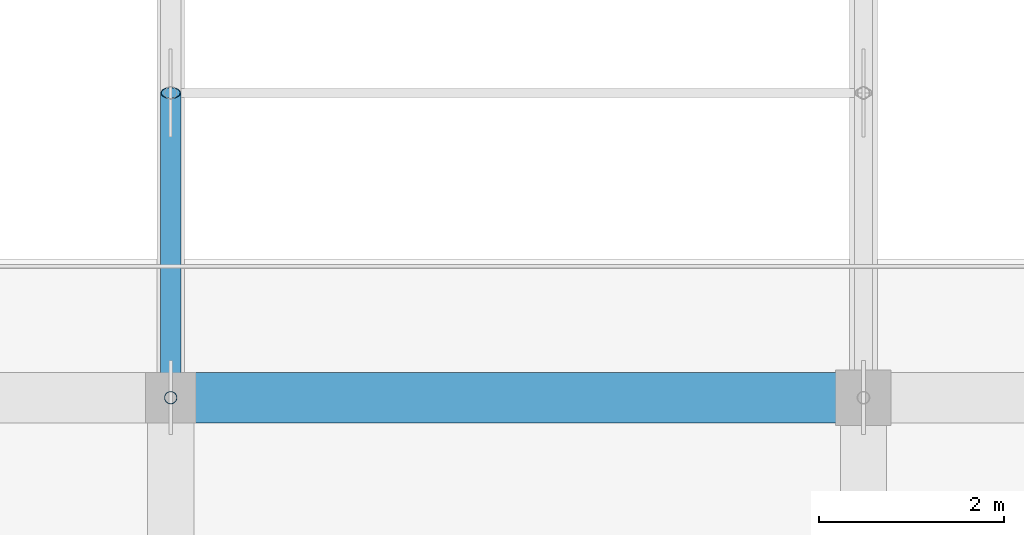
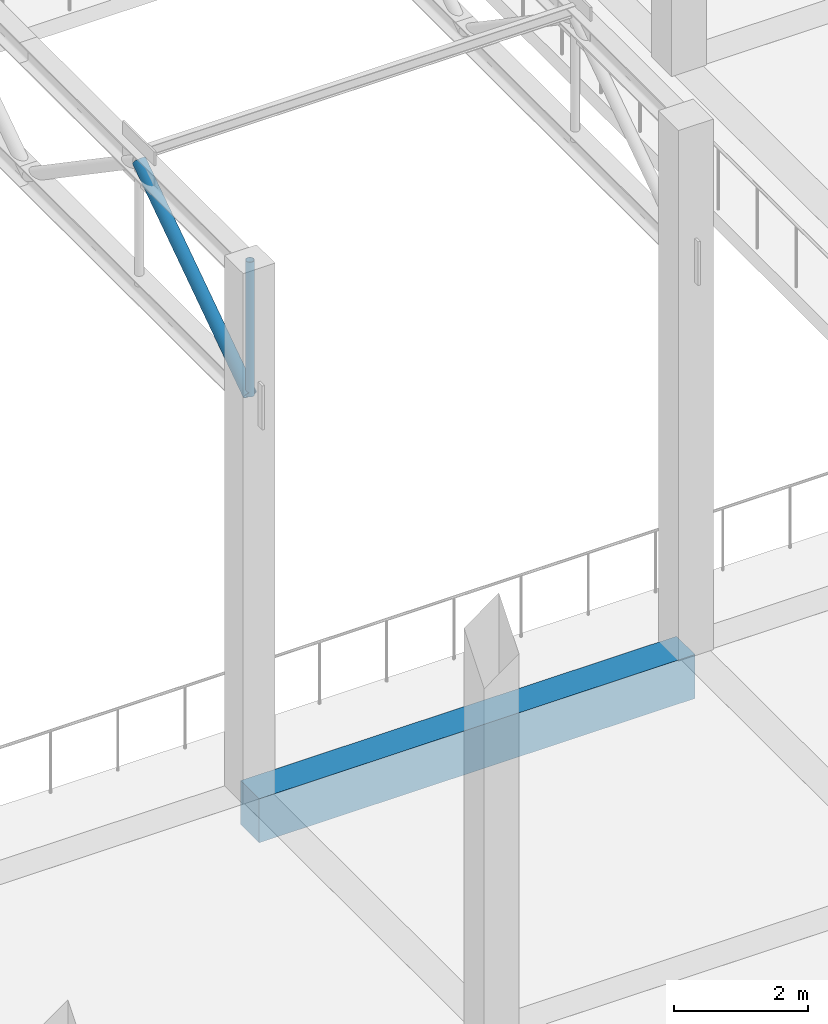
# One storey, part 28 of 80: 2 members, 1 beam.
"""IFC4 building model written with IfcOpenShell, lengths in metres."""

from ifc_helpers import new_model, si_unit, direction, frame, origin, origin_2d, place, context, subcontext, project, spatial, rectangle, hollow_circle, extrude, material, material_profile, profile_set, type_object, element, save


model = new_model("IFC4")

# Units and contexts
model_context = context("Model", 3, precision=1e-05, world=origin(), true_north=direction((0.0, 1.0)))
body_context = subcontext(model_context, "Body", "Model", "MODEL_VIEW")
ifc_project = project(units=[si_unit("LENGTHUNIT", "METRE"), si_unit("AREAUNIT", "SQUARE_METRE"), si_unit("VOLUMEUNIT", "CUBIC_METRE"), si_unit("PLANEANGLEUNIT", "RADIAN"), si_unit("MASSUNIT", "GRAM", prefix="KILO")], contexts=[model_context])

# Site, building, storey
site_placement = place(None, origin())
site = spatial("IfcSite", under=ifc_project, at=site_placement, CompositionType="ELEMENT")
building_placement = place(site_placement, origin())
building = spatial("IfcBuilding", under=site, at=building_placement, Name="Akrevak Sports Hall", CompositionType="ELEMENT")
storey_placement = place(building_placement, frame((0.0, 0.0, 14.0)))
storey = spatial("IfcBuildingStorey", under=building, at=storey_placement, Name="L03", CompositionType="ELEMENT", Elevation=14.0)

# Beam
ifc_material_1 = material(Name="Concrete C40/50", Category="concrete")
ifc_material_profile_1 = material_profile(ifc_material_1, rectangle(XDim=0.550048828125, YDim=0.800048828125, at=origin_2d()), Name="BM 550x800", Category="concrete")
ifc_profile_set_1 = profile_set([ifc_material_profile_1], Name="Concrete C40/50")
beam_type = type_object("IfcBeamType", Name="STR-BM-RC550x800", PredefinedType="BEAM", material=ifc_profile_set_1)
beam_placement = place(storey_placement, frame((123.0, 28.800048828125, -0.39990234375), z_axis=(1.0, 0.0, 0.0), x_axis=(0.0, 1.0, 0.0)))
element("IfcBeam", 1, at=beam_placement, inside=storey, type_object=beam_type, Name="Girder E/17-18 (L03)", PredefinedType="BEAM", context=body_context, shape_type="SweptSolid", body=[
    extrude(rectangle(XDim=0.550048828125, YDim=0.800048828125, at=origin_2d()), origin(), (0.0, 0.0, 1.0), 7.5),
])

# Members
ifc_material_2 = material(Name="Steel S355", Category="steel")
ifc_material_profile_2 = material_profile(ifc_material_2, hollow_circle(Radius=0.06982421875, WallThickness=0.008056640625, at=origin_2d()), Name="CHS 139.7x8", Category="steel")
ifc_profile_set_2 = profile_set([ifc_material_profile_2], Name="Steel S355")
member_type_1 = type_object("IfcMemberType", Name="STR-MEM-BRACE-CHS139", PredefinedType="BRACE", material=ifc_profile_set_2)
member_1_placement = place(storey_placement, frame((123.0, 28.800048828125, 7.18994140625), z_axis=(0.0, 0.0, 1.0), x_axis=(1.0, 0.0, 0.0)))
element("IfcMember", 2, at=member_1_placement, inside=storey, type_object=member_type_1, Name="Roof Truss 3 Bearing End Post E", PredefinedType="BRACE", context=body_context, shape_type="SweptSolid", body=[
    extrude(hollow_circle(Radius=0.06982421875, WallThickness=0.008056640625, at=origin_2d()), origin(), (0.0, 0.0, 1.0), 2.449951171875),
])
ifc_material_profile_3 = material_profile(ifc_material_2, hollow_circle(Radius=0.109619140625, WallThickness=0.010009765625, at=origin_2d()), Name="CHS 219.1x10", Category="steel")
ifc_profile_set_3 = profile_set([ifc_material_profile_3], Name="Steel S355")
member_type_2 = type_object("IfcMemberType", Name="STR-MEM-BRACE-CHS219", PredefinedType="BRACE", material=ifc_profile_set_3)
member_2_placement = place(storey_placement, frame((123.0, 28.800048828125, 7.18994140625), z_axis=(0.0, 0.826231222393, 0.56333113454), x_axis=(-1.0, 0.0, 0.0)))
element("IfcMember", 3, at=member_2_placement, inside=storey, type_object=member_type_2, Name="Roof Truss 3 Web Diagonal 1A", PredefinedType="BRACE", context=body_context, shape_type="SweptSolid", body=[
    extrude(hollow_circle(Radius=0.109619140625, WallThickness=0.010009765625, at=origin_2d()), origin(), (0.0, 0.0, 1.0), 3.994140625),
])

save(model, "model.ifc")
